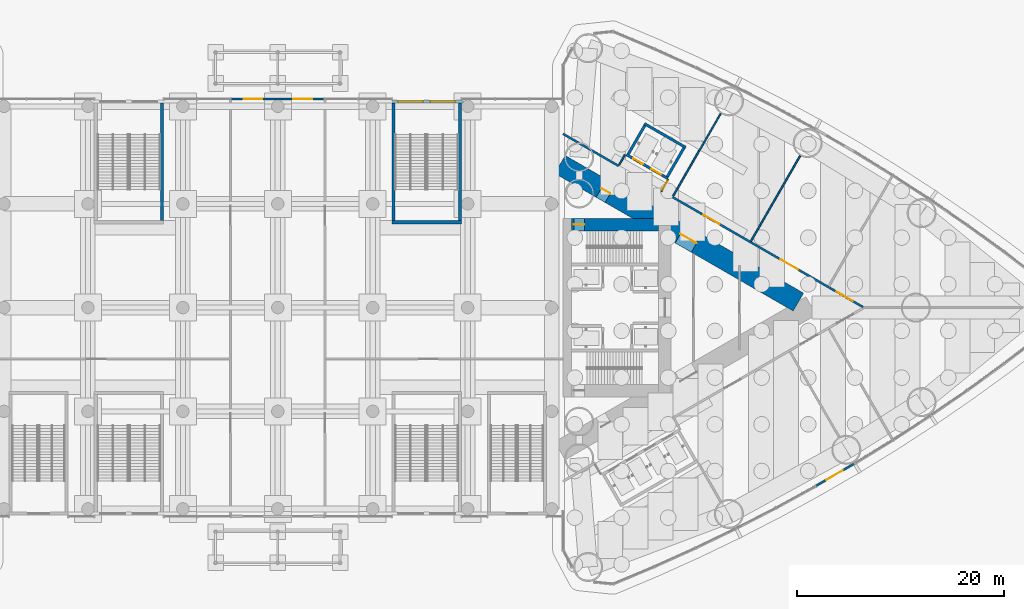
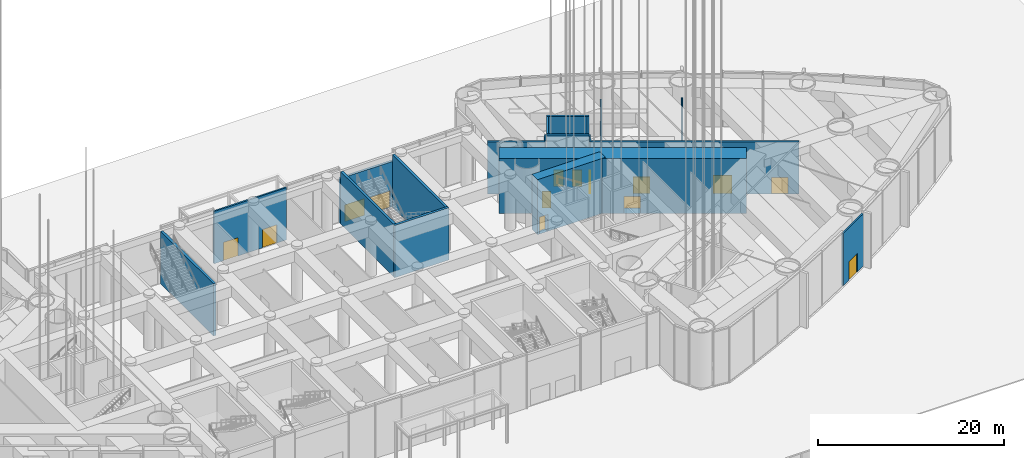
# One storey, part 24 of 43: 19 walls, 14 doors, 14 openings.
"""IFC4 building model written with IfcOpenShell, lengths in metres."""

from ifc_helpers import new_model, si_unit, direction, frame, frame_2d, origin, place, context, subcontext, project, spatial, rectangle, extrude, material, layer, layer_set, type_object, element, fill, save


model = new_model("IFC4")

# Units and contexts
model_context = context("Model", 3, precision=1e-05, world=origin(), true_north=direction((0.0, 1.0)))
body_context = subcontext(model_context, "Body", "Model", "MODEL_VIEW")
ifc_project = project(units=[si_unit("LENGTHUNIT", "METRE"), si_unit("AREAUNIT", "SQUARE_METRE"), si_unit("VOLUMEUNIT", "CUBIC_METRE"), si_unit("PLANEANGLEUNIT", "RADIAN"), si_unit("MASSUNIT", "GRAM", prefix="KILO")], contexts=[model_context])

# Site, building, storey
site_placement = place(None, origin())
site = spatial("IfcSite", under=ifc_project, at=site_placement, CompositionType="ELEMENT")
building_placement = place(site_placement, origin())
building = spatial("IfcBuilding", under=site, at=building_placement, Name="Lancet Gate Hotel", CompositionType="ELEMENT")
storey_placement = place(building_placement, origin())
storey = spatial("IfcBuildingStorey", under=building, at=storey_placement, Name="L00", CompositionType="ELEMENT", Elevation=0.0)

# Wall, openings, doors
ifc_material_1 = material(Name="Concrete C70/85", Category="concrete")
ifc_layer_1 = layer(ifc_material_1, 2.0)
ifc_layer_set_1 = layer_set([ifc_layer_1], Name="Buttress wall 2000")
wall_type_1 = type_object("IfcWallType", Name="Buttress wall 2000", PredefinedType="SHEAR", material=ifc_layer_set_1)
wall_1_placement = place(storey_placement, frame((27.199951171875, 13.800048828125, 0.0), z_axis=(0.0, 0.0, 1.0), x_axis=(0.866024545924, -0.500001485854, 0.0)))
wall_1 = element("IfcWall", 1, at=wall_1_placement, inside=storey, type_object=wall_type_1, Name="T2 buttress wall N L00", PredefinedType="SHEAR", context=body_context, shape_type="SweptSolid", body=[
    extrude(rectangle(XDim=26.53369140625, YDim=2.0, at=frame_2d((13.266845703125, 0.0))), origin(), (0.0, 0.0, 1.0), 7.199951171875),
])
opening_1_placement = place(wall_1_placement, frame((4.60009765625, 0.0, 0.0)))
opening_1 = element("IfcOpeningElement", 2, at=opening_1_placement, cuts=wall_1, Name="Opening T2-L00-LN", PredefinedType="OPENING", context=body_context, shape_type="SweptSolid", body=[
    extrude(rectangle(XDim=1.0, YDim=2.199951171875, at=frame_2d((0.5, 1.10009765625))), frame((0.0, 1.010009765625, 0.0), z_axis=(0.0, -1.0, 0.0), x_axis=(1.0, 0.0, 0.0)), (0.0, 0.0, 1.0), 2.02001953125),
])
opening_2_placement = place(wall_1_placement, frame((13.39453125, 0.0, 0.0)))
opening_2 = element("IfcOpeningElement", 3, at=opening_2_placement, cuts=wall_1, Name="Opening T2-L00-LHN", PredefinedType="OPENING", context=body_context, shape_type="SweptSolid", body=[
    extrude(rectangle(XDim=1.800048828125, YDim=2.199951171875, at=frame_2d((0.89990234375, 1.10009765625))), frame((0.0, 1.010009765625, 0.0), z_axis=(0.0, -1.0, 0.0), x_axis=(1.0, 0.0, 0.0)), (0.0, 0.0, 1.0), 2.02001953125),
])
ifc_material_2 = material(Name="Timber door set", Category="wood")
door_type_1 = type_object("IfcDoorType", Name="Lobby double door 1800", OperationType="DOUBLE_DOOR_SINGLE_SWING", PredefinedType="DOOR", material=ifc_material_2)
door_1_placement = place(opening_2_placement, origin())
door_1 = element("IfcDoor", 4, at=door_1_placement, inside=storey, type_object=door_type_1, Name="T2-L00-LHN", OperationType="DOUBLE_DOOR_SINGLE_SWING", OverallHeight=2.199951171875, OverallWidth=1.800048828125, PredefinedType="DOOR", context=body_context, shape_type="SweptSolid", body=[
    extrude(rectangle(XDim=1.800048828125, YDim=2.199951171875, at=frame_2d((0.89990234375, 1.10009765625))), frame((0.0, 0.02490234375, 0.0), z_axis=(0.0, -1.0, 0.0), x_axis=(1.0, 0.0, 0.0)), (0.0, 0.0, 1.0), 0.050048828125),
])
fill(opening_2, door_1)
ifc_material_3 = material(Name="Timber door set", Category="wood")
door_type_2 = type_object("IfcDoorType", Name="Stair lobby door 1000", OperationType="SINGLE_SWING_LEFT", PredefinedType="DOOR", material=ifc_material_3)
door_2_placement = place(opening_1_placement, origin())
door_2 = element("IfcDoor", 5, at=door_2_placement, inside=storey, type_object=door_type_2, Name="T2-L00-LN", OperationType="SINGLE_SWING_LEFT", OverallHeight=2.199951171875, OverallWidth=1.0, PredefinedType="DOOR", context=body_context, shape_type="SweptSolid", body=[
    extrude(rectangle(XDim=1.0, YDim=2.199951171875, at=frame_2d((0.5, 1.10009765625))), frame((0.0, 0.02490234375, 0.0), z_axis=(0.0, -1.0, 0.0), x_axis=(1.0, 0.0, 0.0)), (0.0, 0.0, 1.0), 0.050048828125),
])
fill(opening_1, door_2)

# Wall, opening, door
ifc_material_4 = material(Name="Concrete C70/85", Category="concrete")
ifc_layer_2 = layer(ifc_material_4, 1.199951171875)
ifc_layer_set_2 = layer_set([ifc_layer_2], Name="Core wall 1200")
wall_type_2 = type_object("IfcWallType", Name="Core wall 1200", PredefinedType="SHEAR", material=ifc_layer_set_2)
wall_2_placement = place(storey_placement, frame((28.300048828125, 8.0, 0.0), z_axis=(0.0, 0.0, 1.0), x_axis=(1.0, 0.0, 0.0)))
wall_2 = element("IfcWall", 6, at=wall_2_placement, inside=storey, type_object=wall_type_2, Name="T2 core wall side-N L00", PredefinedType="SHEAR", context=body_context, shape_type="SweptSolid", body=[
    extrude(rectangle(XDim=8.39990234375, YDim=1.199951171875, at=frame_2d((4.199951171875, 0.0))), origin(), (0.0, 0.0, 1.0), 7.199951171875),
])
opening_3_placement = place(wall_2_placement, frame((0.25, 0.0, 0.0)))
opening_3 = element("IfcOpeningElement", 7, at=opening_3_placement, cuts=wall_2, Name="Opening T2-L00-ST2", PredefinedType="OPENING", context=body_context, shape_type="SweptSolid", body=[
    extrude(rectangle(XDim=1.0, YDim=2.199951171875, at=frame_2d((0.5, 1.10009765625))), frame((0.0, 0.60986328125, 0.0), z_axis=(0.0, -1.0, 0.0), x_axis=(1.0, 0.0, 0.0)), (0.0, 0.0, 1.0), 1.219970703125),
])
ifc_material_5 = material(Name="Timber door set", Category="wood")
door_type_3 = type_object("IfcDoorType", Name="Stair door 1000", OperationType="SINGLE_SWING_RIGHT", PredefinedType="DOOR", material=ifc_material_5)
door_3_placement = place(opening_3_placement, origin())
door_3 = element("IfcDoor", 8, at=door_3_placement, inside=storey, type_object=door_type_3, Name="T2-L00-ST2", OperationType="SINGLE_SWING_RIGHT", OverallHeight=2.199951171875, OverallWidth=1.0, PredefinedType="DOOR", context=body_context, shape_type="SweptSolid", body=[
    extrude(rectangle(XDim=1.0, YDim=2.199951171875, at=frame_2d((0.5, 1.10009765625))), frame((0.0, 0.02490234375, 0.0), z_axis=(0.0, -1.0, 0.0), x_axis=(1.0, 0.0, 0.0)), (0.0, 0.0, 1.0), 0.050048828125),
])
fill(opening_3, door_3)

# Wall
ifc_material_6 = material(Name="Gypsum board partition")
ifc_layer_3 = layer(ifc_material_6, 0.199951171875)
ifc_layer_set_3 = layer_set([ifc_layer_3], Name="Corridor wall 200")
wall_type_3 = type_object("IfcWallType", Name="Corridor wall 200", PredefinedType="PARTITIONING", material=ifc_layer_set_3)
wall_3_placement = place(storey_placement, frame((27.5, 16.744384765625, 0.0), z_axis=(0.0, 0.0, 1.0), x_axis=(0.866035319247, -0.499982825521, 0.0)))
element("IfcWall", 9, at=wall_3_placement, inside=storey, type_object=wall_type_3, Name="T2 corridor wall 200 L00", PredefinedType="PARTITIONING", context=body_context, shape_type="SweptSolid", body=[
    extrude(rectangle(XDim=6.168701171875, YDim=0.199951171875, at=frame_2d((3.08447265625, 0.0))), origin(), (0.0, 0.0, 1.0), 6.85009765625),
])

# Wall, openings, doors
wall_4_placement = place(storey_placement, frame((37.033935546875, 11.239990234375, 0.0), z_axis=(0.0, 0.0, 1.0), x_axis=(0.866025942536, -0.499999066854, 0.0)))
wall_4 = element("IfcWall", 10, at=wall_4_placement, inside=storey, type_object=wall_type_3, Name="T2 corridor wall 200 L00", PredefinedType="PARTITIONING", context=body_context, shape_type="SweptSolid", body=[
    extrude(rectangle(XDim=22.35986328125, YDim=0.199951171875, at=frame_2d((11.179931640625, 0.0))), origin(), (0.0, 0.0, 1.0), 6.85009765625),
])
opening_4_placement = place(wall_4_placement, frame((19.4228515625, 0.0, 0.0)))
opening_4 = element("IfcOpeningElement", 11, at=opening_4_placement, cuts=wall_4, Name="Opening T2-L00-P005", PredefinedType="OPENING", context=body_context, shape_type="SweptSolid", body=[
    extrude(rectangle(XDim=1.800048828125, YDim=2.199951171875, at=frame_2d((0.89990234375, 1.10009765625))), frame((0.0, 0.10986328125, 0.0), z_axis=(0.0, -1.0, 0.0), x_axis=(1.0, 0.0, 0.0)), (0.0, 0.0, 1.0), 0.219970703125),
])
opening_5_placement = place(wall_4_placement, frame((13.173583984375, 0.0, 0.0)))
opening_5 = element("IfcOpeningElement", 12, at=opening_5_placement, cuts=wall_4, Name="Opening T2-L00-P006", PredefinedType="OPENING", context=body_context, shape_type="SweptSolid", body=[
    extrude(rectangle(XDim=2.0, YDim=2.39990234375, at=frame_2d((1.0, 1.199951171875))), frame((0.0, 0.10986328125, 0.0), z_axis=(0.0, -1.0, 0.0), x_axis=(1.0, 0.0, 0.0)), (0.0, 0.0, 1.0), 0.219970703125),
])
opening_6_placement = place(wall_4_placement, frame((4.60205078125, 0.0, 0.0)))
opening_6 = element("IfcOpeningElement", 13, at=opening_6_placement, cuts=wall_4, Name="Opening T2-L00-P007", PredefinedType="OPENING", context=body_context, shape_type="SweptSolid", body=[
    extrude(rectangle(XDim=1.800048828125, YDim=2.199951171875, at=frame_2d((0.89990234375, 1.10009765625))), frame((0.0, 0.10986328125, 0.0), z_axis=(0.0, -1.0, 0.0), x_axis=(1.0, 0.0, 0.0)), (0.0, 0.0, 1.0), 0.219970703125),
])
ifc_material_7 = material(Name="Timber door set", Category="wood")
door_type_4 = type_object("IfcDoorType", Name="Double door 1800", OperationType="DOUBLE_DOOR_SINGLE_SWING", PredefinedType="DOOR", material=ifc_material_7)
door_4_placement = place(opening_4_placement, origin())
door_4 = element("IfcDoor", 14, at=door_4_placement, inside=storey, type_object=door_type_4, Name="T2-L00-P005", OperationType="DOUBLE_DOOR_SINGLE_SWING", OverallHeight=2.199951171875, OverallWidth=1.800048828125, PredefinedType="DOOR", context=body_context, shape_type="SweptSolid", body=[
    extrude(rectangle(XDim=1.800048828125, YDim=2.199951171875, at=frame_2d((0.89990234375, 1.10009765625))), frame((0.0, 0.02490234375, 0.0), z_axis=(0.0, -1.0, 0.0), x_axis=(1.0, 0.0, 0.0)), (0.0, 0.0, 1.0), 0.050048828125),
])
fill(opening_4, door_4)
door_5_placement = place(opening_6_placement, origin())
door_5 = element("IfcDoor", 15, at=door_5_placement, inside=storey, type_object=door_type_4, Name="T2-L00-P007", OperationType="DOUBLE_DOOR_SINGLE_SWING", OverallHeight=2.199951171875, OverallWidth=1.800048828125, PredefinedType="DOOR", context=body_context, shape_type="SweptSolid", body=[
    extrude(rectangle(XDim=1.800048828125, YDim=2.199951171875, at=frame_2d((0.89990234375, 1.10009765625))), frame((0.0, 0.02490234375, 0.0), z_axis=(0.0, -1.0, 0.0), x_axis=(1.0, 0.0, 0.0)), (0.0, 0.0, 1.0), 0.050048828125),
])
fill(opening_6, door_5)
ifc_material_8 = material(Name="Timber door set", Category="wood")
door_type_5 = type_object("IfcDoorType", Name="Plant room double door 2000", OperationType="DOUBLE_DOOR_SINGLE_SWING", PredefinedType="DOOR", material=ifc_material_8)
door_6_placement = place(opening_5_placement, origin())
door_6 = element("IfcDoor", 16, at=door_6_placement, inside=storey, type_object=door_type_5, Name="T2-L00-P006", OperationType="DOUBLE_DOOR_SINGLE_SWING", OverallHeight=2.39990234375, OverallWidth=2.0, PredefinedType="DOOR", context=body_context, shape_type="SweptSolid", body=[
    extrude(rectangle(XDim=2.0, YDim=2.39990234375, at=frame_2d((1.0, 1.199951171875))), frame((0.0, 0.02490234375, 0.0), z_axis=(0.0, -1.0, 0.0), x_axis=(1.0, 0.0, 0.0)), (0.0, 0.0, 1.0), 0.050048828125),
])
fill(opening_5, door_6)

# Wall, opening, door
ifc_material_9 = material(Name="Glazed aluminium screen", Category="aluminium")
ifc_layer_4 = layer(ifc_material_9, 0.199951171875)
ifc_layer_set_4 = layer_set([ifc_layer_4], Name="Glazed entrance screen 200")
wall_type_4 = type_object("IfcWallType", Name="Glazed entrance screen 200", PredefinedType="STANDARD", material=ifc_layer_set_4)
wall_5_placement = place(storey_placement, frame((55.590087890625, -15.03125, 0.0), z_axis=(0.0, 0.0, 1.0), x_axis=(-0.864866989785, -0.502001085637, 0.0)))
wall_5 = element("IfcWall", 17, at=wall_5_placement, inside=storey, type_object=wall_type_4, Name="T2 entrance screen L00", PredefinedType="STANDARD", context=body_context, shape_type="SweptSolid", body=[
    extrude(rectangle(XDim=4.337646484375, YDim=0.199951171875, at=frame_2d((2.1689453125, 0.0))), origin(), (0.0, 0.0, 1.0), 6.85009765625),
])
opening_7_placement = place(wall_5_placement, frame((1.319091796875, 0.0, 0.0)))
opening_7 = element("IfcOpeningElement", 18, at=opening_7_placement, cuts=wall_5, Name="Opening T2-ENT-S", PredefinedType="OPENING", context=body_context, shape_type="SweptSolid", body=[
    extrude(rectangle(XDim=1.800048828125, YDim=2.39990234375, at=frame_2d((0.89990234375, 1.199951171875))), frame((0.0, 0.10986328125, 0.0), z_axis=(0.0, -1.0, 0.0), x_axis=(1.0, 0.0, 0.0)), (0.0, 0.0, 1.0), 0.219970703125),
])
ifc_material_10 = material(Name="Glazed aluminium door set", Category="aluminium")
door_type_6 = type_object("IfcDoorType", Name="Entrance door 1800", OperationType="DOUBLE_DOOR_SINGLE_SWING", PredefinedType="DOOR", material=ifc_material_10)
door_7_placement = place(opening_7_placement, origin())
door_7 = element("IfcDoor", 19, at=door_7_placement, inside=storey, type_object=door_type_6, Name="T2-ENT-S", OperationType="SINGLE_SWING_LEFT", OverallHeight=2.39990234375, OverallWidth=1.800048828125, PredefinedType="DOOR", context=body_context, shape_type="SweptSolid", body=[
    extrude(rectangle(XDim=1.800048828125, YDim=2.39990234375, at=frame_2d((0.89990234375, 1.199951171875))), frame((0.0, 0.02490234375, 0.0), z_axis=(0.0, -1.0, 0.0), x_axis=(1.0, 0.0, 0.0)), (0.0, 0.0, 1.0), 0.050048828125),
])
fill(opening_7, door_7)

# Wall, openings, doors
wall_6_placement = place(storey_placement, frame((-4.5, 20.1201171875, 0.0), z_axis=(0.0, 0.0, 1.0), x_axis=(1.0, 0.0, 0.0)))
wall_6 = element("IfcWall", 20, at=wall_6_placement, inside=storey, type_object=wall_type_4, Name="Concourse entrance screen N", PredefinedType="STANDARD", context=body_context, shape_type="SweptSolid", body=[
    extrude(rectangle(XDim=9.0, YDim=0.199951171875, at=frame_2d((4.5, 0.0))), origin(), (0.0, 0.0, 1.0), 6.85009765625),
])
opening_8_placement = place(wall_6_placement, frame((6.0, 0.0, 0.0)))
opening_8 = element("IfcOpeningElement", 21, at=opening_8_placement, cuts=wall_6, Name="Opening CONC-N1", PredefinedType="OPENING", context=body_context, shape_type="SweptSolid", body=[
    extrude(rectangle(XDim=1.800048828125, YDim=2.39990234375, at=frame_2d((0.89990234375, 1.199951171875))), frame((0.0, 0.10986328125, 0.0), z_axis=(0.0, -1.0, 0.0), x_axis=(1.0, 0.0, 0.0)), (0.0, 0.0, 1.0), 0.219970703125),
])
opening_9_placement = place(wall_6_placement, frame((1.199951171875, 0.0, 0.0)))
opening_9 = element("IfcOpeningElement", 22, at=opening_9_placement, cuts=wall_6, Name="Opening CONC-N2", PredefinedType="OPENING", context=body_context, shape_type="SweptSolid", body=[
    extrude(rectangle(XDim=1.800048828125, YDim=2.39990234375, at=frame_2d((0.89990234375, 1.199951171875))), frame((0.0, 0.10986328125, 0.0), z_axis=(0.0, -1.0, 0.0), x_axis=(1.0, 0.0, 0.0)), (0.0, 0.0, 1.0), 0.219970703125),
])
door_8_placement = place(opening_8_placement, origin())
door_8 = element("IfcDoor", 23, at=door_8_placement, inside=storey, type_object=door_type_6, Name="CONC-N1", OperationType="SINGLE_SWING_LEFT", OverallHeight=2.39990234375, OverallWidth=1.800048828125, PredefinedType="DOOR", context=body_context, shape_type="SweptSolid", body=[
    extrude(rectangle(XDim=1.800048828125, YDim=2.39990234375, at=frame_2d((0.89990234375, 1.199951171875))), frame((0.0, 0.02490234375, 0.0), z_axis=(0.0, -1.0, 0.0), x_axis=(1.0, 0.0, 0.0)), (0.0, 0.0, 1.0), 0.050048828125),
])
fill(opening_8, door_8)
door_9_placement = place(opening_9_placement, origin())
door_9 = element("IfcDoor", 24, at=door_9_placement, inside=storey, type_object=door_type_6, Name="CONC-N2", OperationType="SINGLE_SWING_LEFT", OverallHeight=2.39990234375, OverallWidth=1.800048828125, PredefinedType="DOOR", context=body_context, shape_type="SweptSolid", body=[
    extrude(rectangle(XDim=1.800048828125, YDim=2.39990234375, at=frame_2d((0.89990234375, 1.199951171875))), frame((0.0, 0.02490234375, 0.0), z_axis=(0.0, -1.0, 0.0), x_axis=(1.0, 0.0, 0.0)), (0.0, 0.0, 1.0), 0.050048828125),
])
fill(opening_9, door_9)

ifc_material_11 = material(Name="Gypsum board partition")
ifc_layer_5 = layer(ifc_material_11, 0.25)
ifc_layer_set_5 = layer_set([ifc_layer_5], Name="Lift shaft partition 250")
wall_type_5 = type_object("IfcWallType", Name="Lift shaft partition 250", PredefinedType="PARTITIONING", material=ifc_layer_set_5)
wall_7_placement = place(storey_placement, frame((33.6083984375, 14.747314453125, 0.0), z_axis=(0.0, 0.0, 1.0), x_axis=(0.866043305498, -0.49996899204, 0.0)))
wall_7 = element("IfcWall", 25, at=wall_7_placement, inside=storey, type_object=wall_type_5, Name="T2 lift shaft wall EX L00", PredefinedType="PARTITIONING", context=body_context, shape_type="SweptSolid", body=[
    extrude(rectangle(XDim=4.600341796875, YDim=0.25, at=frame_2d((2.30029296875, 0.0))), origin(), (0.0, 0.0, 1.0), 6.85009765625),
])
opening_10_placement = place(wall_7_placement, frame((0.75, 0.0, 0.0)))
opening_10 = element("IfcOpeningElement", 26, at=opening_10_placement, cuts=wall_7, Name="Opening T2-EX1-L00", PredefinedType="OPENING", context=body_context, shape_type="SweptSolid", body=[
    extrude(rectangle(XDim=1.10009765625, YDim=2.199951171875, at=frame_2d((0.550048828125, 1.10009765625))), frame((0.0, 0.135009765625, 0.0), z_axis=(0.0, -1.0, 0.0), x_axis=(1.0, 0.0, 0.0)), (0.0, 0.0, 1.0), 0.27001953125),
])
opening_11_placement = place(wall_7_placement, frame((2.75, 0.0, 0.0)))
opening_11 = element("IfcOpeningElement", 27, at=opening_11_placement, cuts=wall_7, Name="Opening T2-EX2-L00", PredefinedType="OPENING", context=body_context, shape_type="SweptSolid", body=[
    extrude(rectangle(XDim=1.10009765625, YDim=2.199951171875, at=frame_2d((0.550048828125, 1.10009765625))), frame((0.0, 0.135009765625, 0.0), z_axis=(0.0, -1.0, 0.0), x_axis=(1.0, 0.0, 0.0)), (0.0, 0.0, 1.0), 0.27001953125),
])
ifc_material_12 = material(Name="Steel door set", Category="steel")
door_type_7 = type_object("IfcDoorType", Name="Lift landing door 1100", OperationType="DOUBLE_DOOR_SLIDING", PredefinedType="USERDEFINED", material=ifc_material_12)
door_10_placement = place(opening_10_placement, origin())
door_10 = element("IfcDoor", 28, at=door_10_placement, inside=storey, type_object=door_type_7, Name="T2-EX1-L00", ObjectType="LIFT LANDING DOOR", OperationType="DOUBLE_DOOR_SLIDING", OverallHeight=2.199951171875, OverallWidth=1.10009765625, PredefinedType="USERDEFINED", context=body_context, shape_type="SweptSolid", body=[
    extrude(rectangle(XDim=1.10009765625, YDim=2.199951171875, at=frame_2d((0.550048828125, 1.10009765625))), frame((0.0, 0.02490234375, 0.0), z_axis=(0.0, -1.0, 0.0), x_axis=(1.0, 0.0, 0.0)), (0.0, 0.0, 1.0), 0.050048828125),
])
fill(opening_10, door_10)
door_11_placement = place(opening_11_placement, origin())
door_11 = element("IfcDoor", 29, at=door_11_placement, inside=storey, type_object=door_type_7, Name="T2-EX2-L00", ObjectType="LIFT LANDING DOOR", OperationType="DOUBLE_DOOR_SLIDING", OverallHeight=2.199951171875, OverallWidth=1.10009765625, PredefinedType="USERDEFINED", context=body_context, shape_type="SweptSolid", body=[
    extrude(rectangle(XDim=1.10009765625, YDim=2.199951171875, at=frame_2d((0.550048828125, 1.10009765625))), frame((0.0, 0.02490234375, 0.0), z_axis=(0.0, -1.0, 0.0), x_axis=(1.0, 0.0, 0.0)), (0.0, 0.0, 1.0), 0.050048828125),
])
fill(opening_11, door_11)

# Walls
wall_8_placement = place(storey_placement, frame((35.33349609375, 17.73583984375, 0.0), z_axis=(0.0, 0.0, 1.0), x_axis=(0.866043305498, -0.49996899204, 0.0)))
element("IfcWall", 30, at=wall_8_placement, inside=storey, type_object=wall_type_5, Name="T2 lift shaft wall EX L00", PredefinedType="PARTITIONING", context=body_context, shape_type="SweptSolid", body=[
    extrude(rectangle(XDim=4.600341796875, YDim=0.25, at=frame_2d((2.30029296875, 0.0))), origin(), (0.0, 0.0, 1.0), 6.85009765625),
])
for number, where, z_axis, x_axis, name in (
    (31, (33.779296875, 14.79296875, 0.0), (0.0, 0.0, 1.0), (0.499929347863, 0.866066190972, 0.0), "T2 lift shaft wall EX L00"),
    (32, (37.546630859375, 12.617919921875, 0.0), (0.0, 0.0, 1.0), (0.499929347863, 0.866066190972, 0.0), "T2 lift shaft wall EX L00"),
):
    element("IfcWall", number, at=place(storey_placement, frame(where, z_axis=z_axis, x_axis=x_axis)), inside=storey, type_object=wall_type_5, Name=name, PredefinedType="PARTITIONING", context=body_context, shape_type="SweptSolid", body=[
        extrude(rectangle(XDim=3.20068359375, YDim=0.25, at=frame_2d((1.600341796875, 0.0))), origin(), (0.0, 0.0, 1.0), 6.85009765625),
    ])
ifc_material_13 = material(Name="Gypsum board partition")
ifc_layer_6 = layer(ifc_material_13, 0.14990234375)
ifc_layer_set_6 = layer_set([ifc_layer_6], Name="Party wall 150")
wall_type_6 = type_object("IfcWallType", Name="Party wall 150", PredefinedType="PARTITIONING", material=ifc_layer_set_6)
wall_9_placement = place(storey_placement, frame((38.09521484375, 10.74267578125, 0.0), z_axis=(0.0, 0.0, 1.0), x_axis=(0.499989105942, 0.866031693381, 0.0)))
element("IfcWall", 33, at=wall_9_placement, inside=storey, type_object=wall_type_6, Name="T2 party wall 150 L00", PredefinedType="PARTITIONING", context=body_context, shape_type="SweptSolid", body=[
    extrude(rectangle(XDim=9.193603515625, YDim=0.14990234375, at=frame_2d((4.5966796875, 0.0))), origin(), (0.0, 0.0, 1.0), 5.85009765625),
])
wall_10_placement = place(storey_placement, frame((45.60302734375, 6.408203125, 0.0), z_axis=(0.0, 0.0, 1.0), x_axis=(0.499999740363, 0.866025553686, 0.0)))
element("IfcWall", 34, at=wall_10_placement, inside=storey, type_object=wall_type_6, Name="T2 party wall 150 L00", PredefinedType="PARTITIONING", context=body_context, shape_type="SweptSolid", body=[
    extrude(rectangle(XDim=9.50146484375, YDim=0.14990234375, at=frame_2d((4.750732421875, 0.0))), origin(), (0.0, 0.0, 1.0), 5.85009765625),
])

# Wall, openings, doors
ifc_material_14 = material(Name="Dense concrete blockwork", Category="masonry")
ifc_layer_7 = layer(ifc_material_14, 0.300048828125)
ifc_layer_set_7 = layer_set([ifc_layer_7], Name="Podium stair enclosure wall 300")
wall_type_7 = type_object("IfcWallType", Name="Podium stair enclosure wall 300", PredefinedType="SOLIDWALL", material=ifc_layer_set_7)
wall_11_placement = place(storey_placement, frame((11.0, 19.85009765625, 0.0), z_axis=(0.0, 0.0, 1.0), x_axis=(1.0, 0.0, 0.0)))
wall_11 = element("IfcWall", 35, at=wall_11_placement, inside=storey, type_object=wall_type_7, Name="Podium stair PS2 encl wall outer L00", PredefinedType="SOLIDWALL", context=body_context, shape_type="SweptSolid", body=[
    extrude(rectangle(XDim=6.903076171875, YDim=0.300048828125, at=frame_2d((3.45166015625, 0.0))), origin(), (0.0, 0.0, 1.0), 5.949951171875),
])
opening_12_placement = place(wall_11_placement, frame((0.60009765625, 0.0, 0.0)))
opening_12 = element("IfcOpeningElement", 36, at=opening_12_placement, cuts=wall_11, Name="Opening POD-L00-PS2-EX", PredefinedType="OPENING", context=body_context, shape_type="SweptSolid", body=[
    extrude(rectangle(XDim=2.39990234375, YDim=2.199951171875, at=frame_2d((1.199951171875, 1.10009765625))), frame((0.0, 0.159912109375, 0.0), z_axis=(0.0, -1.0, 0.0), x_axis=(1.0, 0.0, 0.0)), (0.0, 0.0, 1.0), 0.320068359375),
])
opening_13_placement = place(wall_11_placement, frame((3.699951171875, 0.0, 0.0)))
opening_13 = element("IfcOpeningElement", 37, at=opening_13_placement, cuts=wall_11, Name="Opening POD-L00-PS2-EX2", PredefinedType="OPENING", context=body_context, shape_type="SweptSolid", body=[
    extrude(rectangle(XDim=2.39990234375, YDim=2.199951171875, at=frame_2d((1.199951171875, 1.10009765625))), frame((0.0, 0.159912109375, 0.0), z_axis=(0.0, -1.0, 0.0), x_axis=(1.0, 0.0, 0.0)), (0.0, 0.0, 1.0), 0.320068359375),
])
ifc_material_15 = material(Name="Timber door set", Category="wood")
door_type_8 = type_object("IfcDoorType", Name="Exit double door 2400", OperationType="DOUBLE_DOOR_SINGLE_SWING", PredefinedType="DOOR", material=ifc_material_15)
door_12_placement = place(opening_12_placement, origin())
door_12 = element("IfcDoor", 38, at=door_12_placement, inside=storey, type_object=door_type_8, Name="POD-L00-PS2-EX", OperationType="DOUBLE_DOOR_SINGLE_SWING", OverallHeight=2.199951171875, OverallWidth=2.39990234375, PredefinedType="DOOR", context=body_context, shape_type="SweptSolid", body=[
    extrude(rectangle(XDim=2.39990234375, YDim=2.199951171875, at=frame_2d((1.199951171875, 1.10009765625))), frame((0.0, 0.02490234375, 0.0), z_axis=(0.0, -1.0, 0.0), x_axis=(1.0, 0.0, 0.0)), (0.0, 0.0, 1.0), 0.050048828125),
])
fill(opening_12, door_12)
door_13_placement = place(opening_13_placement, origin())
door_13 = element("IfcDoor", 39, at=door_13_placement, inside=storey, type_object=door_type_8, Name="POD-L00-PS2-EX2", OperationType="DOUBLE_DOOR_SINGLE_SWING", OverallHeight=2.199951171875, OverallWidth=2.39990234375, PredefinedType="DOOR", context=body_context, shape_type="SweptSolid", body=[
    extrude(rectangle(XDim=2.39990234375, YDim=2.199951171875, at=frame_2d((1.199951171875, 1.10009765625))), frame((0.0, 0.02490234375, 0.0), z_axis=(0.0, -1.0, 0.0), x_axis=(1.0, 0.0, 0.0)), (0.0, 0.0, 1.0), 0.050048828125),
])
fill(opening_13, door_13)

# Walls
wall_12_placement = place(storey_placement, frame((11.0, 8.22998046875, 0.0), z_axis=(0.0, 0.0, 1.0), x_axis=(1.0, 0.0, 0.0)))
element("IfcWall", 40, at=wall_12_placement, inside=storey, type_object=wall_type_7, Name="Podium stair PS2 encl wall inner L00", PredefinedType="SOLIDWALL", context=body_context, shape_type="SweptSolid", body=[
    extrude(rectangle(XDim=6.699951171875, YDim=0.300048828125, at=frame_2d((3.35009765625, 0.0))), origin(), (0.0, 0.0, 1.0), 6.85009765625),
])
for number, where, z_axis, x_axis, name in (
    (41, (11.14990234375, 8.3798828125, 0.0), (0.0, 0.0, 1.0), (0.0, 1.0, 0.0), "Podium stair PS2 encl wall near L00"),
    (42, (17.550048828125, 8.3798828125, 0.0), (0.0, 0.0, 1.0), (0.0, 1.0, 0.0), "Podium stair PS2 encl wall far L00"),
    (43, (-11.14990234375, 8.3798828125, 0.0), (0.0, 0.0, 1.0), (0.0, 1.0, 0.0), "Podium stair PS4 encl wall near L00"),
):
    element("IfcWall", number, at=place(storey_placement, frame(where, z_axis=z_axis, x_axis=x_axis)), inside=storey, type_object=wall_type_7, Name=name, PredefinedType="SOLIDWALL", context=body_context, shape_type="SweptSolid", body=[
        extrude(rectangle(XDim=11.320068359375, YDim=0.300048828125, at=frame_2d((5.66015625, 0.0))), origin(), (0.0, 0.0, 1.0), 6.85009765625),
    ])

# Wall, opening, door
ifc_material_16 = material(Name="Gypsum board partition")
ifc_layer_8 = layer(ifc_material_16, 0.14990234375)
ifc_layer_set_8 = layer_set([ifc_layer_8], Name="Service room wall 150")
wall_type_8 = type_object("IfcWallType", Name="Service room wall 150", PredefinedType="PARTITIONING", material=ifc_layer_set_8)
wall_13_placement = place(storey_placement, frame((36.970947265625, 11.160888671875, 0.0), z_axis=(0.0, 0.0, 1.0), x_axis=(0.481491794093, 0.876450598848, 0.0)))
wall_13 = element("IfcWall", 44, at=wall_13_placement, inside=storey, type_object=wall_type_8, Name="T2 service room wall 150 L00", PredefinedType="PARTITIONING", context=body_context, shape_type="SweptSolid", body=[
    extrude(rectangle(XDim=1.405029296875, YDim=0.14990234375, at=frame_2d((0.70263671875, 0.0))), origin(), (0.0, 0.0, 1.0), 6.85009765625),
])
opening_14_placement = place(wall_13_placement, frame((0.20263671875, 0.0, 0.0)))
opening_14 = element("IfcOpeningElement", 45, at=opening_14_placement, cuts=wall_13, Name="Opening T2-L00-P008", PredefinedType="OPENING", context=body_context, shape_type="SweptSolid", body=[
    extrude(rectangle(XDim=1.0, YDim=2.199951171875, at=frame_2d((0.5, 1.10009765625))), frame((0.0, 0.0849609375, 0.0), z_axis=(0.0, -1.0, 0.0), x_axis=(1.0, 0.0, 0.0)), (0.0, 0.0, 1.0), 0.169921875),
])
ifc_material_17 = material(Name="Timber door set", Category="wood")
door_type_9 = type_object("IfcDoorType", Name="Service door 1000", OperationType="SINGLE_SWING_LEFT", PredefinedType="DOOR", material=ifc_material_17)
door_14_placement = place(opening_14_placement, origin())
door_14 = element("IfcDoor", 46, at=door_14_placement, inside=storey, type_object=door_type_9, Name="T2-L00-P008", OperationType="SINGLE_SWING_LEFT", OverallHeight=2.199951171875, OverallWidth=1.0, PredefinedType="DOOR", context=body_context, shape_type="SweptSolid", body=[
    extrude(rectangle(XDim=1.0, YDim=2.199951171875, at=frame_2d((0.5, 1.10009765625))), frame((0.0, 0.02490234375, 0.0), z_axis=(0.0, -1.0, 0.0), x_axis=(1.0, 0.0, 0.0)), (0.0, 0.0, 1.0), 0.050048828125),
])
fill(opening_14, door_14)

# Wall
wall_14_placement = place(storey_placement, frame((32.892333984375, 13.74658203125, 0.0), z_axis=(0.0, 0.0, 1.0), x_axis=(0.499928262689, 0.866066817379, 0.0)))
element("IfcWall", 47, at=wall_14_placement, inside=storey, type_object=wall_type_8, Name="T2 service room wall 150 L00", PredefinedType="PARTITIONING", context=body_context, shape_type="SweptSolid", body=[
    extrude(rectangle(XDim=1.129638671875, YDim=0.14990234375, at=frame_2d((0.56494140625, 0.0))), origin(), (0.0, 0.0, 1.0), 6.85009765625),
])

save(model, "model.ifc")
